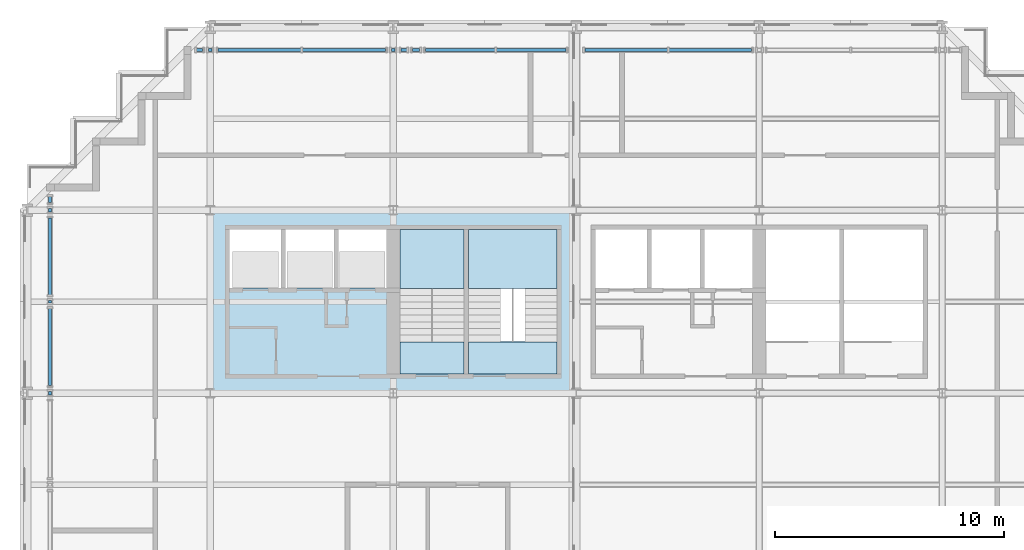
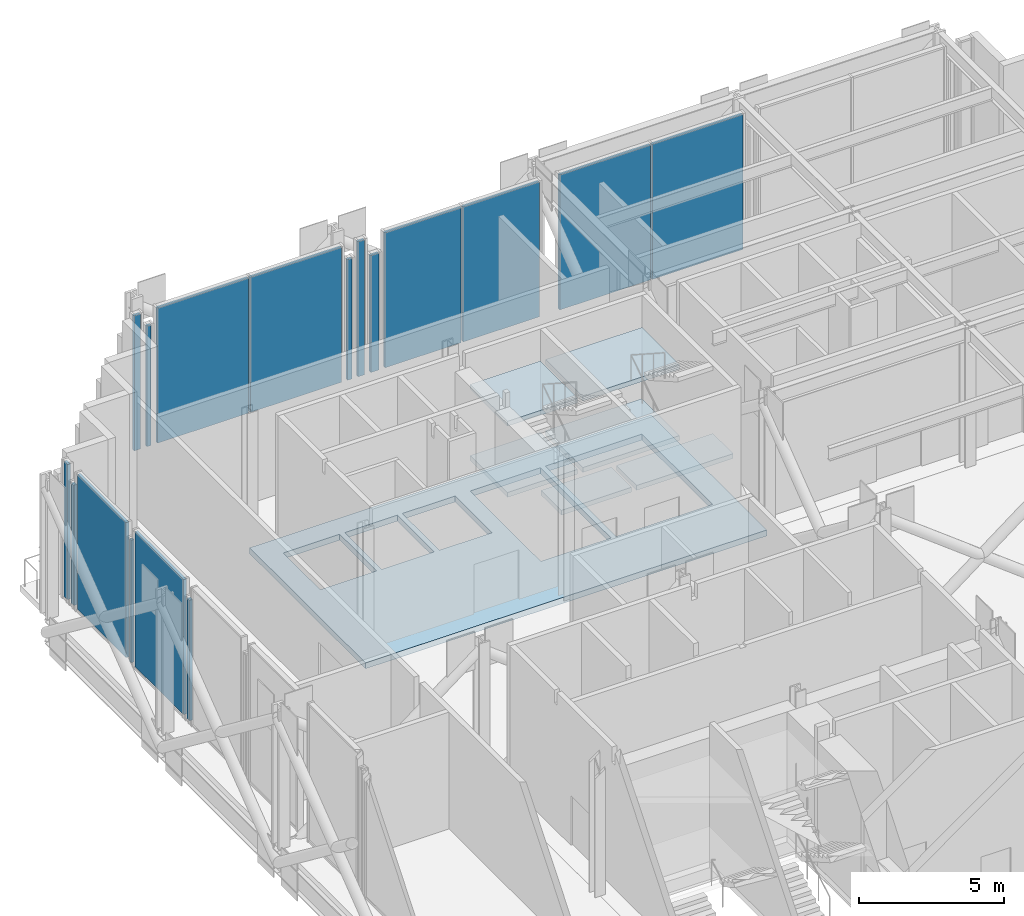
# One storey, part 15 of 25: 17 plates, 7 slabs, 16 elements without a shape of their own.
"""IFC4 building model written with IfcOpenShell, lengths in metres."""

from ifc_helpers import new_model, si_unit, direction, frame, origin, origin_2d, place, context, subcontext, project, spatial, polyline, rectangle, outline, extrude, material, layer, layer_set, type_object, element, aggregate, save


model = new_model("IFC4")

# Units and contexts
model_context = context("Model", 3, precision=1e-05, world=origin(), true_north=direction((0.0, 1.0)))
body_context = subcontext(model_context, "Body", "Model", "MODEL_VIEW")
ifc_project = project(units=[si_unit("LENGTHUNIT", "METRE"), si_unit("AREAUNIT", "SQUARE_METRE"), si_unit("VOLUMEUNIT", "CUBIC_METRE"), si_unit("PLANEANGLEUNIT", "RADIAN"), si_unit("MASSUNIT", "GRAM", prefix="KILO")], contexts=[model_context])

# Site, building, storey
site_placement = place(None, origin())
site = spatial("IfcSite", under=ifc_project, at=site_placement, CompositionType="ELEMENT")
building_placement = place(site_placement, origin())
building = spatial("IfcBuilding", under=site, at=building_placement, Name="Immortelle Media Tower", CompositionType="ELEMENT")
storey_placement = place(building_placement, frame((0.0, 0.0, 114.0)))
storey = spatial("IfcBuildingStorey", under=building, at=storey_placement, Name="L22", CompositionType="ELEMENT", Elevation=114.0)

# Slab
ifc_material_1 = material(Name="Concrete C50/60", Category="concrete")
ifc_layer_1 = layer(ifc_material_1, 0.25)
ifc_layer_set_1 = layer_set([ifc_layer_1], Name="Concrete C50/60")
slab_type_1 = type_object("IfcSlabType", Name="Core floor slab 250", PredefinedType="FLOOR", material=ifc_layer_set_1)
slab_1_placement = place(storey_placement, frame((0.0, 0.0, -0.25)))
element("IfcSlab", 1, at=slab_1_placement, inside=storey, type_object=slab_type_1, Name="Core floor NW", PredefinedType="FLOOR", context=body_context, shape_type="SweptSolid", body=[
    extrude(outline(polyline([(8.0, 32.0), (24.0, 32.0), (24.0, 40.0), (8.0, 40.0), (8.0, 32.0)]), holes=[polyline([(8.85009765625, 36.60009765625), (11.10009765625, 36.60009765625), (11.10009765625, 39.14990234375), (8.85009765625, 39.14990234375), (8.85009765625, 36.60009765625)]), polyline([(11.300048828125, 36.60009765625), (13.39990234375, 36.60009765625), (13.39990234375, 39.14990234375), (11.300048828125, 39.14990234375), (11.300048828125, 36.60009765625)]), polyline([(13.60009765625, 36.60009765625), (15.699951171875, 36.60009765625), (15.699951171875, 39.14990234375), (13.60009765625, 39.14990234375), (13.60009765625, 36.60009765625)]), polyline([(16.300048828125, 34.27001953125), (19.10009765625, 34.27001953125), (19.10009765625, 39.14990234375), (16.300048828125, 39.14990234375), (16.300048828125, 34.27001953125)]), polyline([(19.300048828125, 34.27001953125), (23.14990234375, 34.27001953125), (23.14990234375, 39.14990234375), (19.300048828125, 39.14990234375), (19.300048828125, 34.27001953125)])]), origin(), (0.0, 0.0, 1.0), 0.25),
])

# Curtain wall, plates
ifc_material_2 = material(Name="Aluminium curtain wall system", Category="aluminium")
curtain_wall_type = type_object("IfcCurtainWallType", Name="Plant louvre wall curtain wall", PredefinedType="NOTDEFINED", material=ifc_material_2)
curtain_wall_1_placement = place(storey_placement, origin())
curtain_wall_1 = element("IfcCurtainWall", 2, at=curtain_wall_1_placement, inside=storey, type_object=curtain_wall_type, Name="Plant louvre wall L22 N 21-5", PredefinedType="NOTDEFINED")
ifc_material_3 = material(Name="Pale aluminium louvre panel", Category="aluminium")
ifc_layer_2 = layer(ifc_material_3, 0.1201171875)
ifc_layer_set_2 = layer_set([ifc_layer_2], Name="Pale aluminium louvre panel")
plate_type = type_object("IfcPlateType", Name="Dust and storm rated louvre panel 120 mm", PredefinedType="CURTAIN_PANEL", material=ifc_layer_set_2)
plate_1_placement = place(storey_placement, frame((29.862548828125, 47.0, 0.080078125), z_axis=(0.0, 0.0, 1.0), x_axis=(-1.0, 0.0, 0.0)))
plate_1 = element("IfcPlate", 3, at=plate_1_placement, type_object=plate_type, Name="CW6 panel 1.1", PredefinedType="CURTAIN_PANEL", context=body_context, shape_type="SweptSolid", body=[
    extrude(rectangle(XDim=3.60595703125, YDim=0.1201171875, at=origin_2d()), origin(), (0.0, 0.0, 1.0), 5.689453125),
])
plate_2_placement = place(storey_placement, frame((26.176513671875, 47.0, 0.080078125), z_axis=(0.0, 0.0, 1.0), x_axis=(-1.0, 0.0, 0.0)))
plate_2 = element("IfcPlate", 4, at=plate_2_placement, type_object=plate_type, Name="CW6 panel 2.1", PredefinedType="CURTAIN_PANEL", context=body_context, shape_type="SweptSolid", body=[
    extrude(rectangle(XDim=3.60595703125, YDim=0.1201171875, at=origin_2d()), origin(), (0.0, 0.0, 1.0), 5.689453125),
])
aggregate(curtain_wall_1, [plate_1, plate_2])

curtain_wall_2_placement = place(storey_placement, origin())
curtain_wall_2 = element("IfcCurtainWall", 5, at=curtain_wall_2_placement, inside=storey, type_object=curtain_wall_type, Name="Plant louvre wall L22 N 21-6", PredefinedType="NOTDEFINED")
plate_3_placement = place(storey_placement, frame((22.03759765625, 47.0, 0.080078125), z_axis=(0.0, 0.0, 1.0), x_axis=(-1.0, 0.0, 0.0)))
plate_3 = element("IfcPlate", 6, at=plate_3_placement, type_object=plate_type, Name="CW6 panel 1.1", PredefinedType="CURTAIN_PANEL", context=body_context, shape_type="SweptSolid", body=[
    extrude(rectangle(XDim=3.03271484375, YDim=0.1201171875, at=origin_2d()), origin(), (0.0, 0.0, 1.0), 5.689453125),
])
plate_4_placement = place(storey_placement, frame((18.925048828125, 47.0, 0.080078125), z_axis=(0.0, 0.0, 1.0), x_axis=(-1.0, 0.0, 0.0)))
plate_4 = element("IfcPlate", 7, at=plate_4_placement, type_object=plate_type, Name="CW6 panel 2.1", PredefinedType="CURTAIN_PANEL", context=body_context, shape_type="SweptSolid", body=[
    extrude(rectangle(XDim=3.03271484375, YDim=0.1201171875, at=origin_2d()), origin(), (0.0, 0.0, 1.0), 5.689453125),
])
aggregate(curtain_wall_2, [plate_3, plate_4])

# Curtain wall, plate
curtain_wall_3_placement = place(storey_placement, origin())
curtain_wall_3 = element("IfcCurtainWall", 8, at=curtain_wall_3_placement, inside=storey, type_object=curtain_wall_type, Name="Plant louvre wall L22 N 21-7", PredefinedType="NOTDEFINED")
plate_5_placement = place(storey_placement, frame((17.0, 47.0, 0.080078125), z_axis=(0.0, 0.0, 1.0), x_axis=(-1.0, 0.0, 0.0)))
plate_5 = element("IfcPlate", 9, at=plate_5_placement, type_object=plate_type, Name="CW6 panel 1.1", PredefinedType="CURTAIN_PANEL", context=body_context, shape_type="SweptSolid", body=[
    extrude(rectangle(XDim=0.317626953125, YDim=0.1201171875, at=origin_2d()), origin(), (0.0, 0.0, 1.0), 4.927490234375),
])
aggregate(curtain_wall_3, [plate_5])

curtain_wall_4_placement = place(storey_placement, origin())
curtain_wall_4 = element("IfcCurtainWall", 10, at=curtain_wall_4_placement, inside=storey, type_object=curtain_wall_type, Name="Plant louvre wall L22 N 21-8", PredefinedType="NOTDEFINED")
plate_6_placement = place(storey_placement, frame((16.462890625, 47.0, 0.080078125), z_axis=(0.0, 0.0, 1.0), x_axis=(-1.0, 0.0, 0.0)))
plate_6 = element("IfcPlate", 11, at=plate_6_placement, type_object=plate_type, Name="CW6 panel 1.1", PredefinedType="CURTAIN_PANEL", context=body_context, shape_type="SweptSolid", body=[
    extrude(rectangle(XDim=0.256591796875, YDim=0.1201171875, at=origin_2d()), origin(), (0.0, 0.0, 1.0), 5.689453125),
])
aggregate(curtain_wall_4, [plate_6])

curtain_wall_5_placement = place(storey_placement, origin())
curtain_wall_5 = element("IfcCurtainWall", 12, at=curtain_wall_5_placement, inside=storey, type_object=curtain_wall_type, Name="Plant louvre wall L22 N 21-9", PredefinedType="NOTDEFINED")
plate_7_placement = place(storey_placement, frame((16.0, 47.0, 0.080078125), z_axis=(0.0, 0.0, 1.0), x_axis=(-1.0, 0.0, 0.0)))
plate_7 = element("IfcPlate", 13, at=plate_7_placement, type_object=plate_type, Name="CW6 panel 1.1", PredefinedType="CURTAIN_PANEL", context=body_context, shape_type="SweptSolid", body=[
    extrude(rectangle(XDim=0.1689453125, YDim=0.1201171875, at=origin_2d()), origin(), (0.0, 0.0, 1.0), 5.077392578125),
])
aggregate(curtain_wall_5, [plate_7])

# Curtain wall, plates
curtain_wall_6_placement = place(storey_placement, origin())
curtain_wall_6 = element("IfcCurtainWall", 14, at=curtain_wall_6_placement, inside=storey, type_object=curtain_wall_type, Name="Plant louvre wall L22 N 21-10", PredefinedType="NOTDEFINED")
plate_8_placement = place(storey_placement, frame((13.852783203125, 47.0, 0.080078125), z_axis=(0.0, 0.0, 1.0), x_axis=(-1.0, 0.0, 0.0)))
plate_8 = element("IfcPlate", 15, at=plate_8_placement, type_object=plate_type, Name="CW6 panel 1.1", PredefinedType="CURTAIN_PANEL", context=body_context, shape_type="SweptSolid", body=[
    extrude(rectangle(XDim=3.62548828125, YDim=0.1201171875, at=origin_2d()), origin(), (0.0, 0.0, 1.0), 5.689453125),
])
plate_9_placement = place(storey_placement, frame((10.147216796875, 47.0, 0.080078125), z_axis=(0.0, 0.0, 1.0), x_axis=(-1.0, 0.0, 0.0)))
plate_9 = element("IfcPlate", 16, at=plate_9_placement, type_object=plate_type, Name="CW6 panel 2.1", PredefinedType="CURTAIN_PANEL", context=body_context, shape_type="SweptSolid", body=[
    extrude(rectangle(XDim=3.62548828125, YDim=0.1201171875, at=origin_2d()), origin(), (0.0, 0.0, 1.0), 5.689453125),
])
aggregate(curtain_wall_6, [plate_8, plate_9])

# Curtain wall, plate
curtain_wall_7_placement = place(storey_placement, origin())
curtain_wall_7 = element("IfcCurtainWall", 17, at=curtain_wall_7_placement, inside=storey, type_object=curtain_wall_type, Name="Plant louvre wall L22 N 21-11", PredefinedType="NOTDEFINED")
plate_10_placement = place(storey_placement, frame((8.0, 47.0, 0.080078125), z_axis=(0.0, 0.0, 1.0), x_axis=(-1.0, 0.0, 0.0)))
plate_10 = element("IfcPlate", 18, at=plate_10_placement, type_object=plate_type, Name="CW6 panel 1.1", PredefinedType="CURTAIN_PANEL", context=body_context, shape_type="SweptSolid", body=[
    extrude(rectangle(XDim=0.1689453125, YDim=0.1201171875, at=origin_2d()), origin(), (0.0, 0.0, 1.0), 5.077392578125),
])
aggregate(curtain_wall_7, [plate_10])

curtain_wall_8_placement = place(storey_placement, origin())
curtain_wall_8 = element("IfcCurtainWall", 19, at=curtain_wall_8_placement, inside=storey, type_object=curtain_wall_type, Name="Plant louvre wall L22 N 21-12", PredefinedType="NOTDEFINED")
plate_11_placement = place(storey_placement, frame((7.537109375, 47.0, 0.080078125), z_axis=(0.0, 0.0, 1.0), x_axis=(-1.0, 0.0, 0.0)))
plate_11 = element("IfcPlate", 20, at=plate_11_placement, type_object=plate_type, Name="CW6 panel 1.1", PredefinedType="CURTAIN_PANEL", context=body_context, shape_type="SweptSolid", body=[
    extrude(rectangle(XDim=0.256591796875, YDim=0.1201171875, at=origin_2d()), origin(), (0.0, 0.0, 1.0), 5.689453125),
])
aggregate(curtain_wall_8, [plate_11])

curtain_wall_9_placement = place(storey_placement, origin())
curtain_wall_9 = element("IfcCurtainWall", 21, at=curtain_wall_9_placement, inside=storey, type_object=curtain_wall_type, Name="Plant louvre wall L22 W 28-2", PredefinedType="NOTDEFINED")
plate_12_placement = place(storey_placement, frame((1.0, 40.462890625, 0.080078125), z_axis=(0.0, 0.0, 1.0), x_axis=(0.0, -1.0, 0.0)))
plate_12 = element("IfcPlate", 22, at=plate_12_placement, type_object=plate_type, Name="CW6 panel 1.1", PredefinedType="CURTAIN_PANEL", context=body_context, shape_type="SweptSolid", body=[
    extrude(rectangle(XDim=0.256591796875, YDim=0.1201171875, at=origin_2d()), origin(), (0.0, 0.0, 1.0), 5.689453125),
])
aggregate(curtain_wall_9, [plate_12])

curtain_wall_10_placement = place(storey_placement, origin())
curtain_wall_10 = element("IfcCurtainWall", 23, at=curtain_wall_10_placement, inside=storey, type_object=curtain_wall_type, Name="Plant louvre wall L22 W 28-3", PredefinedType="NOTDEFINED")
plate_13_placement = place(storey_placement, frame((1.0, 40.0, 0.080078125), z_axis=(0.0, 0.0, 1.0), x_axis=(0.0, -1.0, 0.0)))
plate_13 = element("IfcPlate", 24, at=plate_13_placement, type_object=plate_type, Name="CW6 panel 1.1", PredefinedType="CURTAIN_PANEL", context=body_context, shape_type="SweptSolid", body=[
    extrude(rectangle(XDim=0.1689453125, YDim=0.1201171875, at=origin_2d()), origin(), (0.0, 0.0, 1.0), 5.077392578125),
])
aggregate(curtain_wall_10, [plate_13])

curtain_wall_11_placement = place(storey_placement, origin())
curtain_wall_11 = element("IfcCurtainWall", 25, at=curtain_wall_11_placement, inside=storey, type_object=curtain_wall_type, Name="Plant louvre wall L22 W 28-4", PredefinedType="NOTDEFINED")
plate_14_placement = place(storey_placement, frame((1.0, 37.98388671875, 0.080078125), z_axis=(0.0, 0.0, 1.0), x_axis=(0.0, -1.0, 0.0)))
plate_14 = element("IfcPlate", 26, at=plate_14_placement, type_object=plate_type, Name="CW6 panel 1.1", PredefinedType="CURTAIN_PANEL", context=body_context, shape_type="SweptSolid", body=[
    extrude(rectangle(XDim=3.363037109375, YDim=0.1201171875, at=origin_2d()), origin(), (0.0, 0.0, 1.0), 5.689453125),
])
aggregate(curtain_wall_11, [plate_14])

curtain_wall_12_placement = place(storey_placement, origin())
curtain_wall_12 = element("IfcCurtainWall", 27, at=curtain_wall_12_placement, inside=storey, type_object=curtain_wall_type, Name="Plant louvre wall L22 W 28-5", PredefinedType="NOTDEFINED")
plate_15_placement = place(storey_placement, frame((1.0, 36.0, 0.080078125), z_axis=(0.0, 0.0, 1.0), x_axis=(0.0, -1.0, 0.0)))
plate_15 = element("IfcPlate", 28, at=plate_15_placement, type_object=plate_type, Name="CW6 panel 1.1", PredefinedType="CURTAIN_PANEL", context=body_context, shape_type="SweptSolid", body=[
    extrude(rectangle(XDim=0.10498046875, YDim=0.1201171875, at=origin_2d()), origin(), (0.0, 0.0, 1.0), 5.16357421875),
])
aggregate(curtain_wall_12, [plate_15])

curtain_wall_13_placement = place(storey_placement, origin())
curtain_wall_13 = element("IfcCurtainWall", 29, at=curtain_wall_13_placement, inside=storey, type_object=curtain_wall_type, Name="Plant louvre wall L22 W 28-6", PredefinedType="NOTDEFINED")
plate_16_placement = place(storey_placement, frame((1.0, 34.01611328125, 0.080078125), z_axis=(0.0, 0.0, 1.0), x_axis=(0.0, -1.0, 0.0)))
plate_16 = element("IfcPlate", 30, at=plate_16_placement, type_object=plate_type, Name="CW6 panel 1.1", PredefinedType="CURTAIN_PANEL", context=body_context, shape_type="SweptSolid", body=[
    extrude(rectangle(XDim=3.363037109375, YDim=0.1201171875, at=origin_2d()), origin(), (0.0, 0.0, 1.0), 5.689453125),
])
aggregate(curtain_wall_13, [plate_16])

curtain_wall_14_placement = place(storey_placement, origin())
curtain_wall_14 = element("IfcCurtainWall", 31, at=curtain_wall_14_placement, inside=storey, type_object=curtain_wall_type, Name="Plant louvre wall L22 W 28-7", PredefinedType="NOTDEFINED")
plate_17_placement = place(storey_placement, frame((1.0, 32.0, 0.080078125), z_axis=(0.0, 0.0, 1.0), x_axis=(0.0, -1.0, 0.0)))
plate_17 = element("IfcPlate", 32, at=plate_17_placement, type_object=plate_type, Name="CW6 panel 1.1", PredefinedType="CURTAIN_PANEL", context=body_context, shape_type="SweptSolid", body=[
    extrude(rectangle(XDim=0.1689453125, YDim=0.1201171875, at=origin_2d()), origin(), (0.0, 0.0, 1.0), 5.077392578125),
])
aggregate(curtain_wall_14, [plate_17])

# Stair, slabs
ifc_material_4 = material(Name="Steel ASTM A992 Gr 50", Category="steel")
stair_type = type_object("IfcStairType", Name="Stair with flights", PredefinedType="DOUBLE_RETURN_STAIR", material=ifc_material_4)
stair_1_placement = place(storey_placement, origin())
stair_1 = element("IfcStair", 33, at=stair_1_placement, inside=storey, type_object=stair_type, Name="Exit stair NW1", PredefinedType="DOUBLE_RETURN_STAIR")
ifc_material_5 = material(Name="Steel ASTM A572 Gr 50", Category="steel")
ifc_layer_3 = layer(ifc_material_5, 0.199951171875)
ifc_layer_set_3 = layer_set([ifc_layer_3], Name="Steel ASTM A572 Gr 50")
slab_type_2 = type_object("IfcSlabType", Name="Stair landing 200", PredefinedType="LANDING", material=ifc_layer_set_3)
slab_2_placement = place(storey_placement, frame((0.0, 0.0, 1.300048828125)))
slab_2 = element("IfcSlab", 34, at=slab_2_placement, type_object=slab_type_2, Name="ST NW1 landing 1", PredefinedType="LANDING", context=body_context, shape_type="SweptSolid", body=[
    extrude(outline(polyline([(16.300048828125, 36.570068359375), (19.10009765625, 36.570068359375), (19.10009765625, 39.14990234375), (16.300048828125, 39.14990234375), (16.300048828125, 36.570068359375)])), origin(), (0.0, 0.0, 1.0), 0.199951171875),
])
slab_3_placement = place(storey_placement, frame((0.0, 0.0, 2.800048828125)))
slab_3 = element("IfcSlab", 35, at=slab_3_placement, type_object=slab_type_2, Name="ST NW1 landing 2", PredefinedType="LANDING", context=body_context, shape_type="SweptSolid", body=[
    extrude(outline(polyline([(16.300048828125, 32.85009765625), (19.10009765625, 32.85009765625), (19.10009765625, 34.25), (16.300048828125, 34.25), (16.300048828125, 32.85009765625)])), origin(), (0.0, 0.0, 1.0), 0.199951171875),
])
slab_4_placement = place(storey_placement, frame((0.0, 0.0, 4.300048828125)))
slab_4 = element("IfcSlab", 36, at=slab_4_placement, type_object=slab_type_2, Name="ST NW1 landing 3", PredefinedType="LANDING", context=body_context, shape_type="SweptSolid", body=[
    extrude(outline(polyline([(16.300048828125, 36.570068359375), (19.10009765625, 36.570068359375), (19.10009765625, 39.14990234375), (16.300048828125, 39.14990234375), (16.300048828125, 36.570068359375)])), origin(), (0.0, 0.0, 1.0), 0.199951171875),
])
aggregate(stair_1, [slab_2, slab_3, slab_4])

stair_2_placement = place(storey_placement, origin())
stair_2 = element("IfcStair", 37, at=stair_2_placement, inside=storey, type_object=stair_type, Name="Exit stair NW2", PredefinedType="DOUBLE_RETURN_STAIR")
slab_5_placement = place(storey_placement, frame((0.0, 0.0, 1.300048828125)))
slab_5 = element("IfcSlab", 38, at=slab_5_placement, type_object=slab_type_2, Name="ST NW2 landing 1", PredefinedType="LANDING", context=body_context, shape_type="SweptSolid", body=[
    extrude(outline(polyline([(19.300048828125, 36.570068359375), (23.14990234375, 36.570068359375), (23.14990234375, 39.14990234375), (19.300048828125, 39.14990234375), (19.300048828125, 36.570068359375)])), origin(), (0.0, 0.0, 1.0), 0.199951171875),
])
slab_6_placement = place(storey_placement, frame((0.0, 0.0, 2.800048828125)))
slab_6 = element("IfcSlab", 39, at=slab_6_placement, type_object=slab_type_2, Name="ST NW2 landing 2", PredefinedType="LANDING", context=body_context, shape_type="SweptSolid", body=[
    extrude(outline(polyline([(19.300048828125, 32.85009765625), (23.14990234375, 32.85009765625), (23.14990234375, 34.25), (19.300048828125, 34.25), (19.300048828125, 32.85009765625)])), origin(), (0.0, 0.0, 1.0), 0.199951171875),
])
slab_7_placement = place(storey_placement, frame((0.0, 0.0, 4.300048828125)))
slab_7 = element("IfcSlab", 40, at=slab_7_placement, type_object=slab_type_2, Name="ST NW2 landing 3", PredefinedType="LANDING", context=body_context, shape_type="SweptSolid", body=[
    extrude(outline(polyline([(19.300048828125, 36.570068359375), (23.14990234375, 36.570068359375), (23.14990234375, 39.14990234375), (19.300048828125, 39.14990234375), (19.300048828125, 36.570068359375)])), origin(), (0.0, 0.0, 1.0), 0.199951171875),
])
aggregate(stair_2, [slab_5, slab_6, slab_7])

save(model, "model.ifc")
